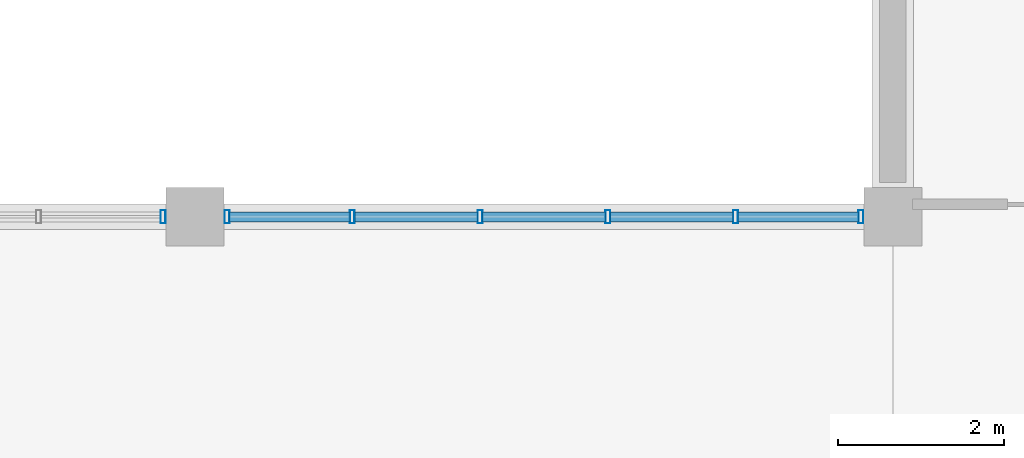
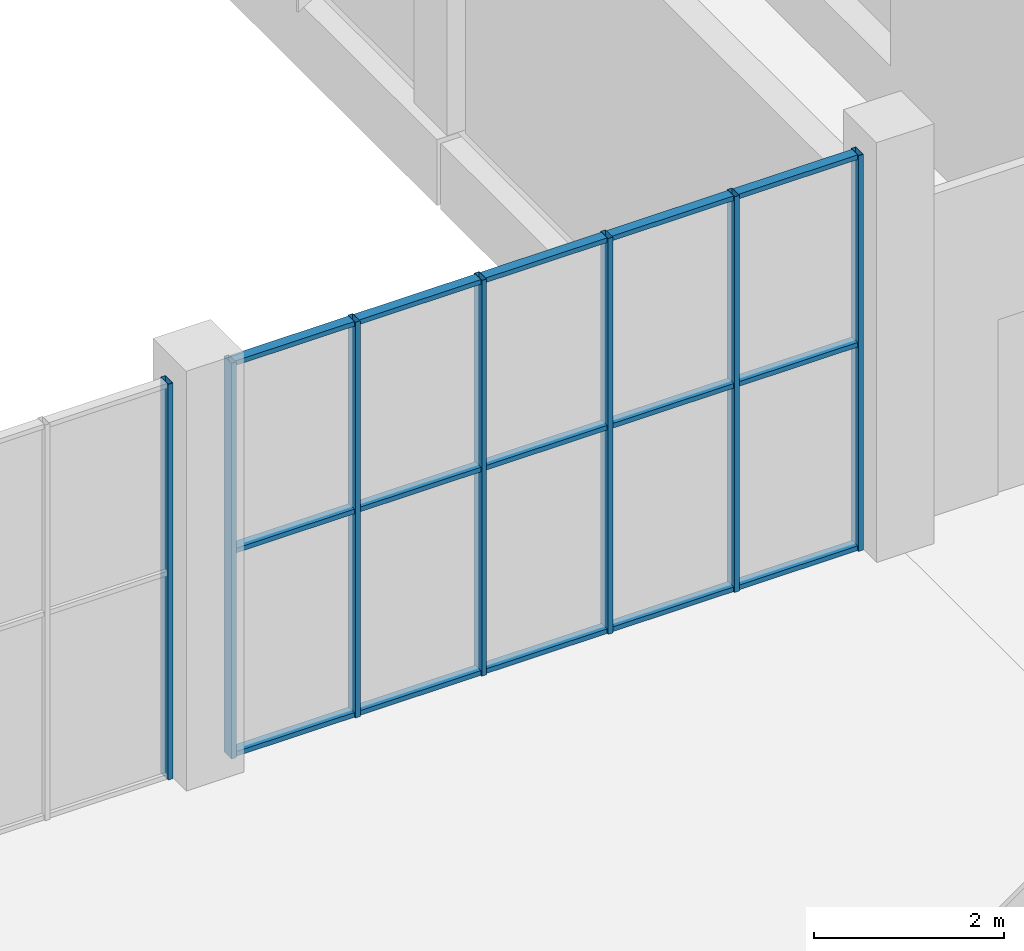
# One storey, part 30 of 91: 22 members, 2 elements without a shape of their own.
"""IFC4 building model written with IfcOpenShell, lengths in metres."""

from ifc_helpers import new_model, si_unit, direction, frame, origin, origin_2d, place, context, subcontext, project, spatial, hollow_rectangle, extrude, material, material_profile, profile_set, type_object, element, aggregate, save


model = new_model("IFC4")

# Units and contexts
model_context = context("Model", 3, precision=1e-05, world=origin(), true_north=direction((0.0, 1.0)))
body_context = subcontext(model_context, "Body", "Model", "MODEL_VIEW")
ifc_project = project(units=[si_unit("LENGTHUNIT", "METRE"), si_unit("AREAUNIT", "SQUARE_METRE"), si_unit("VOLUMEUNIT", "CUBIC_METRE"), si_unit("PLANEANGLEUNIT", "RADIAN"), si_unit("MASSUNIT", "GRAM", prefix="KILO")], contexts=[model_context])

# Site, building, storey
site_placement = place(None, origin())
site = spatial("IfcSite", under=ifc_project, at=site_placement, CompositionType="ELEMENT")
building_placement = place(site_placement, origin())
building = spatial("IfcBuilding", under=site, at=building_placement, Name="Khurvash Pelagic Aquarium", CompositionType="ELEMENT")
storey_placement = place(building_placement, origin())
storey = spatial("IfcBuildingStorey", under=building, at=storey_placement, Name="L00", CompositionType="ELEMENT", Elevation=0.0)

# Curtain wall, members
ifc_material_1 = material(Name="Anodised aluminium and low-E laminated glass", Category="aluminium")
curtain_wall_type = type_object("IfcCurtainWallType", Name="CW-02", PredefinedType="USERDEFINED", material=ifc_material_1)
curtain_wall_1_placement = place(storey_placement, origin())
curtain_wall_1 = element("IfcCurtainWall", 1, at=curtain_wall_1_placement, inside=storey, type_object=curtain_wall_type, Name="L00 Facade Unitised Curtain Wall CW-02 0090", ObjectType="UNITISED CURTAIN WALL", PredefinedType="USERDEFINED")
ifc_material_2 = material(Name="Extruded aluminium AW-6063-T6", Category="aluminium")
ifc_material_profile_1 = material_profile(ifc_material_2, hollow_rectangle(XDim=0.06005859375, YDim=0.159912109375, WallThickness=0.00390625, at=origin_2d()), Name="CWM60X160X4")
ifc_profile_set_1 = profile_set([ifc_material_profile_1], Name="Extruded aluminium AW-6063-T6")
member_type_1 = type_object("IfcMemberType", Name="CM-02", PredefinedType="MULLION", material=ifc_profile_set_1)
member_1_placement = place(storey_placement, frame((125.614990234375, 29.75, 0.0), z_axis=(0.0, 0.0, 1.0), x_axis=(-1.0, 0.0, 0.0)))
member_1 = element("IfcMember", 2, at=member_1_placement, type_object=member_type_1, Name="CW-02 mullion 1", PredefinedType="MULLION", context=body_context, shape_type="SweptSolid", body=[
    extrude(hollow_rectangle(XDim=0.06005859375, YDim=0.159912109375, WallThickness=0.00390625, at=origin_2d()), origin(), (0.0, 0.0, 1.0), 5.090087890625),
])
member_2_placement = place(storey_placement, frame((124.10693359375, 29.75, 0.0), z_axis=(0.0, 0.0, 1.0), x_axis=(-1.0, 0.0, 0.0)))
member_2 = element("IfcMember", 3, at=member_2_placement, type_object=member_type_1, Name="CW-02 mullion 2", PredefinedType="MULLION", context=body_context, shape_type="SweptSolid", body=[
    extrude(hollow_rectangle(XDim=0.06005859375, YDim=0.159912109375, WallThickness=0.00390625, at=origin_2d()), origin(), (0.0, 0.0, 1.0), 5.090087890625),
])
member_3_placement = place(storey_placement, frame((122.569091796875, 29.75, 0.0), z_axis=(0.0, 0.0, 1.0), x_axis=(-1.0, 0.0, 0.0)))
member_3 = element("IfcMember", 4, at=member_3_placement, type_object=member_type_1, Name="CW-02 mullion 3", PredefinedType="MULLION", context=body_context, shape_type="SweptSolid", body=[
    extrude(hollow_rectangle(XDim=0.06005859375, YDim=0.159912109375, WallThickness=0.00390625, at=origin_2d()), origin(), (0.0, 0.0, 1.0), 5.090087890625),
])
member_4_placement = place(storey_placement, frame((121.031005859375, 29.75, 0.0), z_axis=(0.0, 0.0, 1.0), x_axis=(-1.0, 0.0, 0.0)))
member_4 = element("IfcMember", 5, at=member_4_placement, type_object=member_type_1, Name="CW-02 mullion 4", PredefinedType="MULLION", context=body_context, shape_type="SweptSolid", body=[
    extrude(hollow_rectangle(XDim=0.06005859375, YDim=0.159912109375, WallThickness=0.00390625, at=origin_2d()), origin(), (0.0, 0.0, 1.0), 5.090087890625),
])
member_5_placement = place(storey_placement, frame((119.492919921875, 29.75, 0.0), z_axis=(0.0, 0.0, 1.0), x_axis=(-1.0, 0.0, 0.0)))
member_5 = element("IfcMember", 6, at=member_5_placement, type_object=member_type_1, Name="CW-02 mullion 5", PredefinedType="MULLION", context=body_context, shape_type="SweptSolid", body=[
    extrude(hollow_rectangle(XDim=0.06005859375, YDim=0.159912109375, WallThickness=0.00390625, at=origin_2d()), origin(), (0.0, 0.0, 1.0), 5.090087890625),
])
member_6_placement = place(storey_placement, frame((117.985107421875, 29.75, 0.0), z_axis=(0.0, 0.0, 1.0), x_axis=(-1.0, 0.0, 0.0)))
member_6 = element("IfcMember", 7, at=member_6_placement, type_object=member_type_1, Name="CW-02 mullion 6", PredefinedType="MULLION", context=body_context, shape_type="SweptSolid", body=[
    extrude(hollow_rectangle(XDim=0.06005859375, YDim=0.159912109375, WallThickness=0.00390625, at=origin_2d()), origin(), (0.0, 0.0, 1.0), 5.090087890625),
])

# Curtain wall, member
curtain_wall_2_placement = place(storey_placement, origin())
curtain_wall_2 = element("IfcCurtainWall", 8, at=curtain_wall_2_placement, inside=storey, type_object=curtain_wall_type, Name="L00 Facade Unitised Curtain Wall CW-02 0091", ObjectType="UNITISED CURTAIN WALL", PredefinedType="USERDEFINED")
member_7_placement = place(storey_placement, frame((117.215087890625, 29.75, 0.0), z_axis=(0.0, 0.0, 1.0), x_axis=(-1.0, 0.0, 0.0)))
member_7 = element("IfcMember", 9, at=member_7_placement, type_object=member_type_1, Name="CW-02 mullion 1", PredefinedType="MULLION", context=body_context, shape_type="SweptSolid", body=[
    extrude(hollow_rectangle(XDim=0.06005859375, YDim=0.159912109375, WallThickness=0.00390625, at=origin_2d()), origin(), (0.0, 0.0, 1.0), 5.090087890625),
])
aggregate(curtain_wall_2, [member_7])

# Member
ifc_material_profile_2 = material_profile(ifc_material_2, hollow_rectangle(XDim=0.1201171875, YDim=0.06005859375, WallThickness=0.00390625, at=origin_2d()), Name="CWT120X60X4")
ifc_profile_set_2 = profile_set([ifc_material_profile_2], Name="Extruded aluminium AW-6063-T6")
member_type_2 = type_object("IfcMemberType", Name="CT-02", PredefinedType="USERDEFINED", material=ifc_profile_set_2)
member_8_placement = place(storey_placement, frame((125.5849609375, 29.75, 0.030029296875), z_axis=(-1.0, 0.0, 0.0), x_axis=(0.0, -1.0, 0.0)))
member_8 = element("IfcMember", 10, at=member_8_placement, type_object=member_type_2, Name="CW-02 transom 1.1", ObjectType="TRANSOM", PredefinedType="USERDEFINED", context=body_context, shape_type="SweptSolid", body=[
    extrude(hollow_rectangle(XDim=0.1201171875, YDim=0.06005859375, WallThickness=0.00390625, at=origin_2d()), origin(), (0.0, 0.0, 1.0), 1.447998046875),
])

member_9_placement = place(storey_placement, frame((125.5849609375, 29.75, 2.64697265625), z_axis=(-1.0, 0.0, 0.0), x_axis=(0.0, -1.0, 0.0)))
member_9 = element("IfcMember", 11, at=member_9_placement, type_object=member_type_2, Name="CW-02 transom 1.2", ObjectType="TRANSOM", PredefinedType="USERDEFINED", context=body_context, shape_type="SweptSolid", body=[
    extrude(hollow_rectangle(XDim=0.1201171875, YDim=0.06005859375, WallThickness=0.00390625, at=origin_2d()), origin(), (0.0, 0.0, 1.0), 1.447998046875),
])

member_10_placement = place(storey_placement, frame((125.5849609375, 29.75, 5.06005859375), z_axis=(-1.0, 0.0, 0.0), x_axis=(0.0, -1.0, 0.0)))
member_10 = element("IfcMember", 12, at=member_10_placement, type_object=member_type_2, Name="CW-02 transom 1.3", ObjectType="TRANSOM", PredefinedType="USERDEFINED", context=body_context, shape_type="SweptSolid", body=[
    extrude(hollow_rectangle(XDim=0.1201171875, YDim=0.06005859375, WallThickness=0.00390625, at=origin_2d()), origin(), (0.0, 0.0, 1.0), 1.447998046875),
])

member_11_placement = place(storey_placement, frame((124.076904296875, 29.75, 0.030029296875), z_axis=(-1.0, 0.0, 0.0), x_axis=(0.0, -1.0, 0.0)))
member_11 = element("IfcMember", 13, at=member_11_placement, type_object=member_type_2, Name="CW-02 transom 2.1", ObjectType="TRANSOM", PredefinedType="USERDEFINED", context=body_context, shape_type="SweptSolid", body=[
    extrude(hollow_rectangle(XDim=0.1201171875, YDim=0.06005859375, WallThickness=0.00390625, at=origin_2d()), origin(), (0.0, 0.0, 1.0), 1.477783203125),
])

member_12_placement = place(storey_placement, frame((124.076904296875, 29.75, 2.64697265625), z_axis=(-1.0, 0.0, 0.0), x_axis=(0.0, -1.0, 0.0)))
member_12 = element("IfcMember", 14, at=member_12_placement, type_object=member_type_2, Name="CW-02 transom 2.2", ObjectType="TRANSOM", PredefinedType="USERDEFINED", context=body_context, shape_type="SweptSolid", body=[
    extrude(hollow_rectangle(XDim=0.1201171875, YDim=0.06005859375, WallThickness=0.00390625, at=origin_2d()), origin(), (0.0, 0.0, 1.0), 1.477783203125),
])

member_13_placement = place(storey_placement, frame((124.076904296875, 29.75, 5.06005859375), z_axis=(-1.0, 0.0, 0.0), x_axis=(0.0, -1.0, 0.0)))
member_13 = element("IfcMember", 15, at=member_13_placement, type_object=member_type_2, Name="CW-02 transom 2.3", ObjectType="TRANSOM", PredefinedType="USERDEFINED", context=body_context, shape_type="SweptSolid", body=[
    extrude(hollow_rectangle(XDim=0.1201171875, YDim=0.06005859375, WallThickness=0.00390625, at=origin_2d()), origin(), (0.0, 0.0, 1.0), 1.477783203125),
])

member_14_placement = place(storey_placement, frame((122.5390625, 29.75, 0.030029296875), z_axis=(-1.0, 0.0, 0.0), x_axis=(0.0, -1.0, 0.0)))
member_14 = element("IfcMember", 16, at=member_14_placement, type_object=member_type_2, Name="CW-02 transom 3.1", ObjectType="TRANSOM", PredefinedType="USERDEFINED", context=body_context, shape_type="SweptSolid", body=[
    extrude(hollow_rectangle(XDim=0.1201171875, YDim=0.06005859375, WallThickness=0.00390625, at=origin_2d()), origin(), (0.0, 0.0, 1.0), 1.47802734375),
])

member_15_placement = place(storey_placement, frame((122.5390625, 29.75, 2.64697265625), z_axis=(-1.0, 0.0, 0.0), x_axis=(0.0, -1.0, 0.0)))
member_15 = element("IfcMember", 17, at=member_15_placement, type_object=member_type_2, Name="CW-02 transom 3.2", ObjectType="TRANSOM", PredefinedType="USERDEFINED", context=body_context, shape_type="SweptSolid", body=[
    extrude(hollow_rectangle(XDim=0.1201171875, YDim=0.06005859375, WallThickness=0.00390625, at=origin_2d()), origin(), (0.0, 0.0, 1.0), 1.47802734375),
])

member_16_placement = place(storey_placement, frame((122.5390625, 29.75, 5.06005859375), z_axis=(-1.0, 0.0, 0.0), x_axis=(0.0, -1.0, 0.0)))
member_16 = element("IfcMember", 18, at=member_16_placement, type_object=member_type_2, Name="CW-02 transom 3.3", ObjectType="TRANSOM", PredefinedType="USERDEFINED", context=body_context, shape_type="SweptSolid", body=[
    extrude(hollow_rectangle(XDim=0.1201171875, YDim=0.06005859375, WallThickness=0.00390625, at=origin_2d()), origin(), (0.0, 0.0, 1.0), 1.47802734375),
])

member_17_placement = place(storey_placement, frame((121.0009765625, 29.75, 0.030029296875), z_axis=(-1.0, 0.0, 0.0), x_axis=(0.0, -1.0, 0.0)))
member_17 = element("IfcMember", 19, at=member_17_placement, type_object=member_type_2, Name="CW-02 transom 4.1", ObjectType="TRANSOM", PredefinedType="USERDEFINED", context=body_context, shape_type="SweptSolid", body=[
    extrude(hollow_rectangle(XDim=0.1201171875, YDim=0.06005859375, WallThickness=0.00390625, at=origin_2d()), origin(), (0.0, 0.0, 1.0), 1.47802734375),
])

member_18_placement = place(storey_placement, frame((121.0009765625, 29.75, 2.64697265625), z_axis=(-1.0, 0.0, 0.0), x_axis=(0.0, -1.0, 0.0)))
member_18 = element("IfcMember", 20, at=member_18_placement, type_object=member_type_2, Name="CW-02 transom 4.2", ObjectType="TRANSOM", PredefinedType="USERDEFINED", context=body_context, shape_type="SweptSolid", body=[
    extrude(hollow_rectangle(XDim=0.1201171875, YDim=0.06005859375, WallThickness=0.00390625, at=origin_2d()), origin(), (0.0, 0.0, 1.0), 1.47802734375),
])

member_19_placement = place(storey_placement, frame((121.0009765625, 29.75, 5.06005859375), z_axis=(-1.0, 0.0, 0.0), x_axis=(0.0, -1.0, 0.0)))
member_19 = element("IfcMember", 21, at=member_19_placement, type_object=member_type_2, Name="CW-02 transom 4.3", ObjectType="TRANSOM", PredefinedType="USERDEFINED", context=body_context, shape_type="SweptSolid", body=[
    extrude(hollow_rectangle(XDim=0.1201171875, YDim=0.06005859375, WallThickness=0.00390625, at=origin_2d()), origin(), (0.0, 0.0, 1.0), 1.47802734375),
])

member_20_placement = place(storey_placement, frame((119.462890625, 29.75, 0.030029296875), z_axis=(-1.0, 0.0, 0.0), x_axis=(0.0, -1.0, 0.0)))
member_20 = element("IfcMember", 22, at=member_20_placement, type_object=member_type_2, Name="CW-02 transom 5.1", ObjectType="TRANSOM", PredefinedType="USERDEFINED", context=body_context, shape_type="SweptSolid", body=[
    extrude(hollow_rectangle(XDim=0.1201171875, YDim=0.06005859375, WallThickness=0.00390625, at=origin_2d()), origin(), (0.0, 0.0, 1.0), 1.447998046875),
])

member_21_placement = place(storey_placement, frame((119.462890625, 29.75, 2.64697265625), z_axis=(-1.0, 0.0, 0.0), x_axis=(0.0, -1.0, 0.0)))
member_21 = element("IfcMember", 23, at=member_21_placement, type_object=member_type_2, Name="CW-02 transom 5.2", ObjectType="TRANSOM", PredefinedType="USERDEFINED", context=body_context, shape_type="SweptSolid", body=[
    extrude(hollow_rectangle(XDim=0.1201171875, YDim=0.06005859375, WallThickness=0.00390625, at=origin_2d()), origin(), (0.0, 0.0, 1.0), 1.447998046875),
])

member_22_placement = place(storey_placement, frame((119.462890625, 29.75, 5.06005859375), z_axis=(-1.0, 0.0, 0.0), x_axis=(0.0, -1.0, 0.0)))
member_22 = element("IfcMember", 24, at=member_22_placement, type_object=member_type_2, Name="CW-02 transom 5.3", ObjectType="TRANSOM", PredefinedType="USERDEFINED", context=body_context, shape_type="SweptSolid", body=[
    extrude(hollow_rectangle(XDim=0.1201171875, YDim=0.06005859375, WallThickness=0.00390625, at=origin_2d()), origin(), (0.0, 0.0, 1.0), 1.447998046875),
])

aggregate(curtain_wall_1, [member_1, member_2, member_3, member_4, member_5, member_6, member_8, member_9, member_10, member_11, member_12, member_13, member_14, member_15, member_16, member_17, member_18, member_19, member_20, member_21, member_22])

save(model, "model.ifc")
